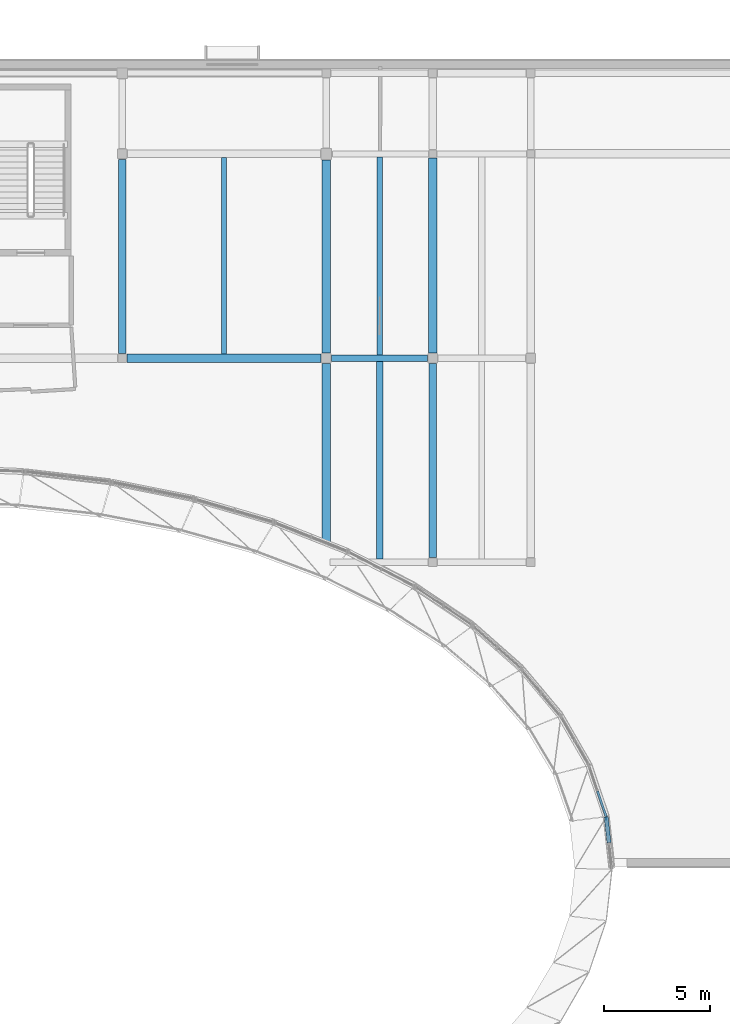
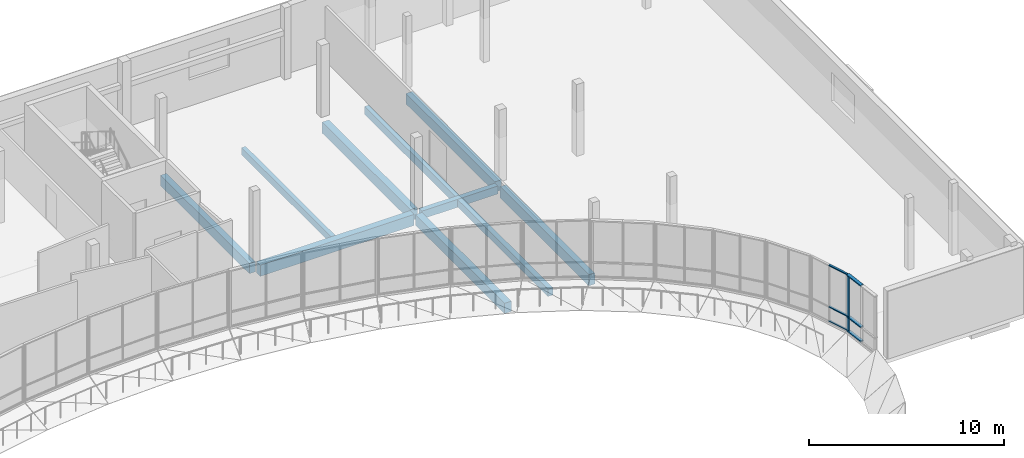
# One storey, part 15 of 41: 10 beams, 7 members, 2 elements without a shape of their own.
"""IFC4 building model written with IfcOpenShell, lengths in metres."""

from ifc_helpers import new_model, si_unit, direction, frame, origin, origin_2d, place, context, subcontext, project, spatial, rectangle, extrude, material, material_profile, profile_set, type_object, element, aggregate, save


model = new_model("IFC4")

# Units and contexts
model_context = context("Model", 3, precision=1e-05, world=origin(), true_north=direction((0.0, 1.0)))
body_context = subcontext(model_context, "Body", "Model", "MODEL_VIEW")
ifc_project = project(units=[si_unit("LENGTHUNIT", "METRE"), si_unit("AREAUNIT", "SQUARE_METRE"), si_unit("VOLUMEUNIT", "CUBIC_METRE"), si_unit("PLANEANGLEUNIT", "RADIAN"), si_unit("MASSUNIT", "GRAM", prefix="KILO")], contexts=[model_context])

# Site, building, storey
site_placement = place(None, origin())
site = spatial("IfcSite", under=ifc_project, at=site_placement, CompositionType="ELEMENT")
building_placement = place(site_placement, origin())
building = spatial("IfcBuilding", under=site, at=building_placement, Name="Mzevani Central Library", CompositionType="ELEMENT")
storey_placement = place(building_placement, frame((0.0, 0.0, 13.800048828125)))
storey = spatial("IfcBuildingStorey", under=building, at=storey_placement, Name="L03", CompositionType="ELEMENT", Elevation=13.800048828125)

# Beams
ifc_material_1 = material(Name="Concrete C35/45", Category="concrete")
ifc_material_profile_1 = material_profile(ifc_material_1, rectangle(XDim=0.300048828125, YDim=0.5, at=origin_2d()), Name="RC B300x500")
ifc_profile_set_1 = profile_set([ifc_material_profile_1], Name="Concrete C35/45")
beam_type_1 = type_object("IfcBeamType", Name="Beam RC 300x500", PredefinedType="BEAM", material=ifc_profile_set_1)
beam_1_placement = place(storey_placement, frame((102.64990234375, 100.0, -0.530029296875), z_axis=(1.0, 0.0, 0.0), x_axis=(0.0, 1.0, 0.0)))
element("IfcBeam", 1, at=beam_1_placement, inside=storey, type_object=beam_type_1, Name="L03 V3 Girder B-01 (644)", PredefinedType="BEAM", context=body_context, shape_type="SweptSolid", body=[
    extrude(rectangle(XDim=0.300048828125, YDim=0.5, at=origin_2d()), origin(), (0.0, 0.0, 1.0), 4.5),
])
ifc_material_profile_2 = material_profile(ifc_material_1, rectangle(XDim=0.35009765625, YDim=0.64990234375, at=origin_2d()), Name="RC B350x650")
ifc_profile_set_2 = profile_set([ifc_material_profile_2], Name="Concrete C35/45")
beam_type_2 = type_object("IfcBeamType", Name="Beam RC 350x650", PredefinedType="BEAM", material=ifc_profile_set_2)
beam_2_placement = place(storey_placement, frame((92.800048828125, 100.22509765625, -0.60498046875), z_axis=(0.0, 1.0, 0.0), x_axis=(-1.0, 0.0, 0.0)))
element("IfcBeam", 2, at=beam_2_placement, inside=storey, type_object=beam_type_2, Name="L03 V3 Frame Beam B-05 (676)", PredefinedType="BEAM", context=body_context, shape_type="SweptSolid", body=[
    extrude(rectangle(XDim=0.35009765625, YDim=0.64990234375, at=origin_2d()), origin(), (0.0, 0.0, 1.0), 9.125),
])
ifc_material_profile_3 = material_profile(ifc_material_1, rectangle(XDim=0.35009765625, YDim=0.699951171875, at=origin_2d()), Name="RC B350x700")
ifc_profile_set_3 = profile_set([ifc_material_profile_3], Name="Concrete C35/45")
beam_type_3 = type_object("IfcBeamType", Name="Beam RC 350x700", PredefinedType="BEAM", material=ifc_profile_set_3)
beam_3_placement = place(storey_placement, frame((107.39990234375, 90.625, -0.630126953125), z_axis=(0.0, 1.0, 0.0), x_axis=(-1.0, 0.0, 0.0)))
element("IfcBeam", 3, at=beam_3_placement, inside=storey, type_object=beam_type_3, Name="L03 V3 Frame Beam B-06 (681)", PredefinedType="BEAM", context=body_context, shape_type="SweptSolid", body=[
    extrude(rectangle(XDim=0.35009765625, YDim=0.699951171875, at=origin_2d()), origin(), (0.0, 0.0, 1.0), 9.125),
])
ifc_material_profile_4 = material_profile(ifc_material_1, rectangle(XDim=0.39990234375, YDim=0.64990234375, at=origin_2d()), Name="RC B400x650")
ifc_profile_set_4 = profile_set([ifc_material_profile_4], Name="Concrete C35/45")
beam_type_4 = type_object("IfcBeamType", Name="Beam RC 400x650", PredefinedType="BEAM", material=ifc_profile_set_4)
beam_4_placement = place(storey_placement, frame((102.39990234375, 90.574951171875, -0.60498046875), z_axis=(0.0, 1.0, 0.0), x_axis=(-1.0, 0.0, 0.0)))
element("IfcBeam", 4, at=beam_4_placement, inside=storey, type_object=beam_type_4, Name="L03 V3 Frame Beam B-07 (678)", PredefinedType="BEAM", context=body_context, shape_type="SweptSolid", body=[
    extrude(rectangle(XDim=0.39990234375, YDim=0.64990234375, at=origin_2d()), origin(), (0.0, 0.0, 1.0), 9.175048828125),
])
beam_5_placement = place(storey_placement, frame((107.39990234375, 100.25, -0.60498046875), z_axis=(0.0, 1.0, 0.0), x_axis=(-1.0, 0.0, 0.0)))
element("IfcBeam", 5, at=beam_5_placement, inside=storey, type_object=beam_type_4, Name="L03 V3 Frame Beam B-07 (682)", PredefinedType="BEAM", context=body_context, shape_type="SweptSolid", body=[
    extrude(rectangle(XDim=0.39990234375, YDim=0.64990234375, at=origin_2d()), origin(), (0.0, 0.0, 1.0), 9.14990234375),
])
ifc_material_profile_5 = material_profile(ifc_material_1, rectangle(XDim=0.39990234375, YDim=0.699951171875, at=origin_2d()), Name="RC B400x700")
ifc_profile_set_5 = profile_set([ifc_material_profile_5], Name="Concrete C35/45")
beam_type_5 = type_object("IfcBeamType", Name="Beam RC 400x700", PredefinedType="BEAM", material=ifc_profile_set_5)
beam_6_placement = place(storey_placement, frame((93.02490234375, 100.0, -0.630126953125), z_axis=(1.0, 0.0, 0.0), x_axis=(0.0, 1.0, 0.0)))
element("IfcBeam", 6, at=beam_6_placement, inside=storey, type_object=beam_type_5, Name="L03 V3 Girder B-08 (643)", PredefinedType="BEAM", context=body_context, shape_type="SweptSolid", body=[
    extrude(rectangle(XDim=0.39990234375, YDim=0.699951171875, at=origin_2d()), origin(), (0.0, 0.0, 1.0), 9.125),
])
beam_7_placement = place(storey_placement, frame((102.39990234375, 100.25, -0.630126953125), z_axis=(0.0, 1.0, 0.0), x_axis=(-1.0, 0.0, 0.0)))
element("IfcBeam", 7, at=beam_7_placement, inside=storey, type_object=beam_type_5, Name="L03 V3 Frame Beam B-08 (679)", PredefinedType="BEAM", context=body_context, shape_type="SweptSolid", body=[
    extrude(rectangle(XDim=0.39990234375, YDim=0.699951171875, at=origin_2d()), origin(), (0.0, 0.0, 1.0), 9.074951171875),
])

# Curtain wall, member
ifc_material_2 = material(Name="Thermally broken aluminium and Low-E triple glazing", Category="aluminium")
curtain_wall_type_1 = type_object("IfcCurtainWallType", Name="Reading Hall Northlight Curtain Wall", PredefinedType="NOTDEFINED", material=ifc_material_2)
curtain_wall_1_placement = place(storey_placement, origin())
curtain_wall_1 = element("IfcCurtainWall", 8, at=curtain_wall_1_placement, inside=storey, type_object=curtain_wall_type_1, Name="L03 Elliptical Court Curtain Wall 1", PredefinedType="NOTDEFINED")
ifc_material_3 = material(Name="Thermally broken aluminium AW-6060", Category="aluminium")
ifc_material_profile_6 = material_profile(ifc_material_3, rectangle(XDim=0.070068359375, YDim=0.219970703125, at=origin_2d()), Name="ALU M70x220")
ifc_profile_set_6 = profile_set([ifc_material_profile_6], Name="Thermally broken aluminium AW-6060")
member_type_1 = type_object("IfcMemberType", Name="CW Mullion 70x220", PredefinedType="MULLION", material=ifc_profile_set_6)
member_1_placement = place(storey_placement, frame((115.554931640625, 78.38818359375, 0.719970703125), z_axis=(0.0, 0.0, 1.0), x_axis=(1.0, 0.0, 0.0)))
member_1 = element("IfcMember", 9, at=member_1_placement, type_object=member_type_1, Name="L03 Elliptical Court Curtain Wall 1 Mullion 3", PredefinedType="MULLION", context=body_context, shape_type="SweptSolid", body=[
    extrude(rectangle(XDim=0.070068359375, YDim=0.219970703125, at=origin_2d()), origin(), (0.0, 0.0, 1.0), 3.5),
])

# Curtain wall, members
curtain_wall_type_2 = type_object("IfcCurtainWallType", Name="Elliptical Court Unitised Curtain Wall", PredefinedType="NOTDEFINED", material=ifc_material_2)
curtain_wall_2_placement = place(storey_placement, origin())
curtain_wall_2 = element("IfcCurtainWall", 10, at=curtain_wall_2_placement, inside=storey, type_object=curtain_wall_type_2, Name="L03 Elliptical Court Curtain Wall 2", PredefinedType="NOTDEFINED")
ifc_material_profile_7 = material_profile(ifc_material_3, rectangle(XDim=0.110107421875, YDim=0.06005859375, at=origin_2d()), Name="ALU T60x110")
ifc_profile_set_7 = profile_set([ifc_material_profile_7], Name="Thermally broken aluminium AW-6060")
member_type_2 = type_object("IfcMemberType", Name="CW Transom 60x110", PredefinedType="USERDEFINED", material=ifc_profile_set_7)
member_2_placement = place(storey_placement, frame((115.548095703125, 78.455078125, 0.719970703125), z_axis=(-0.319887355027, 0.947455582122, 0.0), x_axis=(-0.947455582122, -0.319887355027, 0.0)))
member_2 = element("IfcMember", 11, at=member_2_placement, type_object=member_type_2, Name="L03 Elliptical Court Curtain Wall 2 Transom 1", ObjectType="TRANSOM", PredefinedType="USERDEFINED", context=body_context, shape_type="SweptSolid", body=[
    extrude(rectangle(XDim=0.110107421875, YDim=0.06005859375, at=origin_2d()), origin(), (0.0, 0.0, 1.0), 1.260009765625),
])
member_3_placement = place(storey_placement, frame((115.548095703125, 78.455078125, 1.619873046875), z_axis=(-0.319887355027, 0.947455582122, 0.0), x_axis=(-0.947455582122, -0.319887355027, 0.0)))
member_3 = element("IfcMember", 12, at=member_3_placement, type_object=member_type_2, Name="L03 Elliptical Court Curtain Wall 2 Transom 2", ObjectType="TRANSOM", PredefinedType="USERDEFINED", context=body_context, shape_type="SweptSolid", body=[
    extrude(rectangle(XDim=0.110107421875, YDim=0.06005859375, at=origin_2d()), origin(), (0.0, 0.0, 1.0), 1.260009765625),
])
member_4_placement = place(storey_placement, frame((115.548095703125, 78.455078125, 4.219970703125), z_axis=(-0.319887355027, 0.947455582122, 0.0), x_axis=(-0.947455582122, -0.319887355027, 0.0)))
member_4 = element("IfcMember", 13, at=member_4_placement, type_object=member_type_2, Name="L03 Elliptical Court Curtain Wall 2 Transom 3", ObjectType="TRANSOM", PredefinedType="USERDEFINED", context=body_context, shape_type="SweptSolid", body=[
    extrude(rectangle(XDim=0.110107421875, YDim=0.06005859375, at=origin_2d()), origin(), (0.0, 0.0, 1.0), 1.260009765625),
])
aggregate(curtain_wall_2, [member_2, member_3, member_4])

# Member
ifc_material_profile_8 = material_profile(ifc_material_3, rectangle(XDim=0.18994140625, YDim=0.070068359375, at=origin_2d()), Name="ALU T70x190")
ifc_profile_set_8 = profile_set([ifc_material_profile_8], Name="Thermally broken aluminium AW-6060")
member_type_3 = type_object("IfcMemberType", Name="CW Transom 70x190", PredefinedType="USERDEFINED", material=ifc_profile_set_8)
member_5_placement = place(storey_placement, frame((115.6845703125, 77.22314453125, 0.719970703125), z_axis=(-0.110453448181, 0.993881298639, 0.0), x_axis=(-0.993881298639, -0.110453448181, 0.0)))
member_5 = element("IfcMember", 14, at=member_5_placement, type_object=member_type_3, Name="L03 Elliptical Court Curtain Wall 1 Transom 4", ObjectType="TRANSOM", PredefinedType="USERDEFINED", context=body_context, shape_type="SweptSolid", body=[
    extrude(rectangle(XDim=0.18994140625, YDim=0.070068359375, at=origin_2d()), origin(), (0.0, 0.0, 1.0), 1.222412109375),
])

member_6_placement = place(storey_placement, frame((115.6845703125, 77.22314453125, 1.619873046875), z_axis=(-0.110453448181, 0.993881298639, 0.0), x_axis=(-0.993881298639, -0.110453448181, 0.0)))
member_6 = element("IfcMember", 15, at=member_6_placement, type_object=member_type_3, Name="L03 Elliptical Court Curtain Wall 1 Transom 5", ObjectType="TRANSOM", PredefinedType="USERDEFINED", context=body_context, shape_type="SweptSolid", body=[
    extrude(rectangle(XDim=0.18994140625, YDim=0.070068359375, at=origin_2d()), origin(), (0.0, 0.0, 1.0), 1.222412109375),
])

member_7_placement = place(storey_placement, frame((115.6845703125, 77.22314453125, 4.219970703125), z_axis=(-0.110453448181, 0.993881298639, 0.0), x_axis=(-0.993881298639, -0.110453448181, 0.0)))
member_7 = element("IfcMember", 16, at=member_7_placement, type_object=member_type_3, Name="L03 Elliptical Court Curtain Wall 1 Transom 6", ObjectType="TRANSOM", PredefinedType="USERDEFINED", context=body_context, shape_type="SweptSolid", body=[
    extrude(rectangle(XDim=0.18994140625, YDim=0.070068359375, at=origin_2d()), origin(), (0.0, 0.0, 1.0), 1.222412109375),
])

aggregate(curtain_wall_1, [member_1, member_5, member_6, member_7])

# Beams
ifc_material_profile_9 = material_profile(ifc_material_1, rectangle(XDim=0.25, YDim=0.449951171875, at=origin_2d()), Name="RC J250x450")
ifc_profile_set_9 = profile_set([ifc_material_profile_9], Name="Concrete C35/45")
beam_type_6 = type_object("IfcBeamType", Name="Floor Joist RC 250x450", PredefinedType="JOIST", material=ifc_profile_set_9)
beam_8_placement = place(storey_placement, frame((97.58740234375, 100.199951171875, -0.505126953125), z_axis=(0.0, 1.0, 0.0), x_axis=(-1.0, 0.0, 0.0)))
element("IfcBeam", 17, at=beam_8_placement, inside=storey, type_object=beam_type_6, Name="L03 V3 Floor Joist BJ-01 (699)", PredefinedType="JOIST", context=body_context, shape_type="SweptSolid", body=[
    extrude(rectangle(XDim=0.25, YDim=0.449951171875, at=origin_2d()), origin(), (0.0, 0.0, 1.0), 9.22509765625),
])
ifc_material_profile_10 = material_profile(ifc_material_1, rectangle(XDim=0.25, YDim=0.5, at=origin_2d()), Name="RC J250x500")
ifc_profile_set_10 = profile_set([ifc_material_profile_10], Name="Concrete C35/45")
beam_type_7 = type_object("IfcBeamType", Name="Floor Joist RC 250x500", PredefinedType="JOIST", material=ifc_profile_set_10)
beam_9_placement = place(storey_placement, frame((104.91259765625, 100.14990234375, -0.530029296875), z_axis=(0.0, 1.0, 0.0), x_axis=(-1.0, 0.0, 0.0)))
element("IfcBeam", 18, at=beam_9_placement, inside=storey, type_object=beam_type_7, Name="L03 V3 Floor Joist BJ-02 (700)", PredefinedType="JOIST", context=body_context, shape_type="SweptSolid", body=[
    extrude(rectangle(XDim=0.25, YDim=0.5, at=origin_2d()), origin(), (0.0, 0.0, 1.0), 9.300048828125),
])
ifc_material_profile_11 = material_profile(ifc_material_1, rectangle(XDim=0.300048828125, YDim=0.449951171875, at=origin_2d()), Name="RC J300x450")
ifc_profile_set_11 = profile_set([ifc_material_profile_11], Name="Concrete C35/45")
beam_type_8 = type_object("IfcBeamType", Name="Floor Joist RC 300x450", PredefinedType="JOIST", material=ifc_profile_set_11)
beam_10_placement = place(storey_placement, frame((104.89990234375, 90.550048828125, -0.505126953125), z_axis=(0.0, 1.0, 0.0), x_axis=(-1.0, 0.0, 0.0)))
element("IfcBeam", 19, at=beam_10_placement, inside=storey, type_object=beam_type_8, Name="L03 V3 Floor Joist BJ-03 (695)", PredefinedType="JOIST", context=body_context, shape_type="SweptSolid", body=[
    extrude(rectangle(XDim=0.300048828125, YDim=0.449951171875, at=origin_2d()), origin(), (0.0, 0.0, 1.0), 9.300048828125),
])

save(model, "model.ifc")
